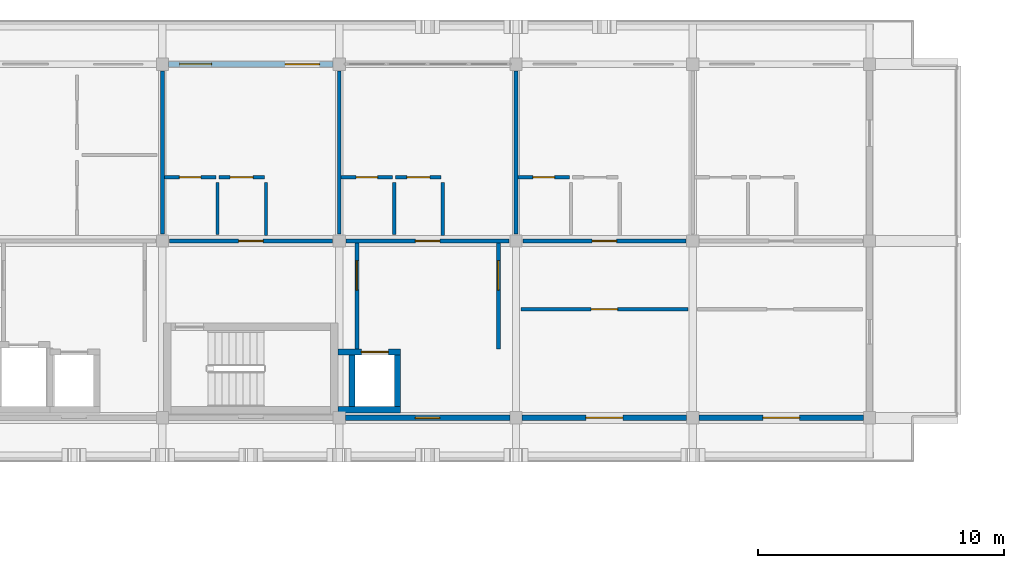
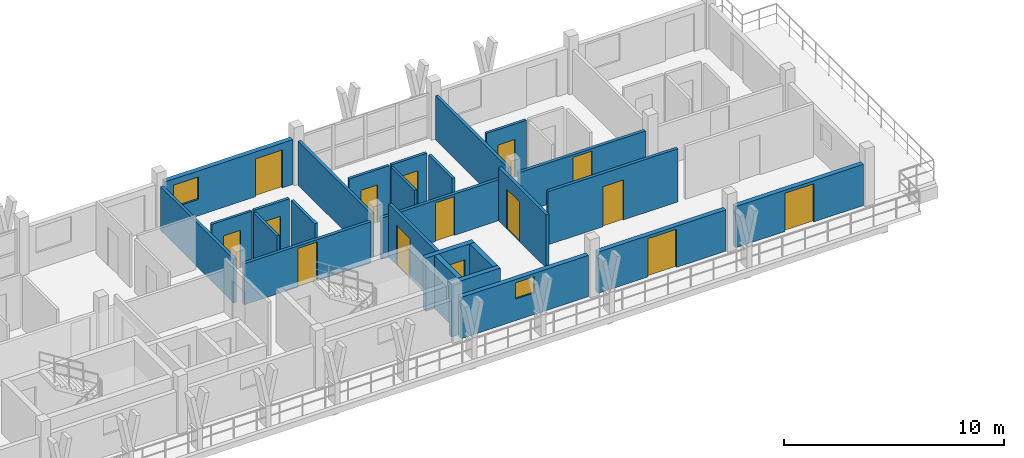
# One storey, part 21 of 32: 26 walls, 15 doors, 2 windows, 17 openings.
"""IFC4 building model written with IfcOpenShell, lengths in metres."""

from ifc_helpers import new_model, si_unit, direction, frame, frame_2d, origin, place, context, subcontext, project, spatial, rectangle, extrude, material, layer, layer_set, type_object, element, fill, save


model = new_model("IFC4")

# Units and contexts
model_context = context("Model", 3, precision=1e-05, world=origin(), true_north=direction((0.0, 1.0)))
body_context = subcontext(model_context, "Body", "Model", "MODEL_VIEW")
ifc_project = project(units=[si_unit("LENGTHUNIT", "METRE"), si_unit("AREAUNIT", "SQUARE_METRE"), si_unit("VOLUMEUNIT", "CUBIC_METRE"), si_unit("PLANEANGLEUNIT", "RADIAN"), si_unit("MASSUNIT", "GRAM", prefix="KILO")], contexts=[model_context])

# Site, building, storey
site_placement = place(None, origin())
site = spatial("IfcSite", under=ifc_project, at=site_placement, CompositionType="ELEMENT")
building_placement = place(site_placement, origin())
building = spatial("IfcBuilding", under=site, at=building_placement, Name="Suanplinth Sawtooth Commons", CompositionType="ELEMENT")
storey_placement = place(building_placement, frame((0.0, 0.0, 41.199951171875)))
storey = spatial("IfcBuildingStorey", under=building, at=storey_placement, Name="L12", CompositionType="ELEMENT", Elevation=41.199951171875)

# Wall, openings, door, window
ifc_material_1 = material(Name="Precast concrete C40/50", Category="concrete")
ifc_layer_1 = layer(ifc_material_1, 0.239990234375, Name="Upper insulated precast facade wall 240mm")
ifc_layer_set_1 = layer_set([ifc_layer_1], Name="Precast concrete C40/50")
wall_type_1 = type_object("IfcWallType", Name="W-EX03", PredefinedType="ELEMENTEDWALL", material=ifc_layer_set_1)
wall_1_placement = place(storey_placement, frame((57.85009765625, 122.39990234375, 0.0), z_axis=(0.0, 0.0, 1.0), x_axis=(1.0, 0.0, 0.0)))
wall_1 = element("IfcWall", 1, at=wall_1_placement, inside=storey, type_object=wall_type_1, Name="Facade Wall W-L12-A-N-4", PredefinedType="ELEMENTEDWALL", context=body_context, shape_type="SweptSolid", body=[
    extrude(rectangle(XDim=6.699951171875, YDim=0.239990234375, at=frame_2d((3.35009765625, 0.0))), origin(), (0.0, 0.0, 1.0), 2.485107421875),
])
opening_1_placement = place(wall_1_placement, frame((4.75, 0.0, 0.0)))
opening_1 = element("IfcOpeningElement", 2, at=opening_1_placement, cuts=wall_1, Name="Opening ED0812", PredefinedType="OPENING", context=body_context, shape_type="SweptSolid", body=[
    extrude(rectangle(XDim=1.39990234375, YDim=2.10009765625, at=frame_2d((0.699951171875, 1.050048828125))), frame((0.0, 0.134765625, 0.0), z_axis=(0.0, -1.0, 0.0), x_axis=(1.0, 0.0, 0.0)), (0.0, 0.0, 1.0), 0.269775390625),
])
opening_2_placement = place(wall_1_placement, frame((0.449951171875, 0.0, 0.89990234375)))
opening_2 = element("IfcOpeningElement", 3, at=opening_2_placement, cuts=wall_1, Name="Opening W0894", PredefinedType="OPENING", context=body_context, shape_type="SweptSolid", body=[
    extrude(rectangle(XDim=1.300048828125, YDim=1.25, at=frame_2d((0.64990234375, 0.625))), frame((0.0, 0.134765625, 0.0), z_axis=(0.0, -1.0, 0.0), x_axis=(1.0, 0.0, 0.0)), (0.0, 0.0, 1.0), 0.269775390625),
])
ifc_material_2 = material(Name="Anodized aluminium and low-E glass", Category="aluminium")
door_type_1 = type_object("IfcDoorType", Name="SD-07", OperationType="SLIDING_TO_RIGHT", PredefinedType="DOOR", material=ifc_material_2)
door_1_placement = place(opening_1_placement, frame((1.39990234375, 0.0, 0.0), z_axis=(0.0, 0.0, 1.0), x_axis=(-1.0, 0.0, 0.0)))
door_1 = element("IfcDoor", 4, at=door_1_placement, inside=storey, type_object=door_type_1, Name="Balcony Sliding Door L12-A-N-4", OperationType="SLIDING_TO_RIGHT", OverallHeight=2.10009765625, OverallWidth=1.39990234375, PredefinedType="DOOR", context=body_context, shape_type="SweptSolid", body=[
    extrude(rectangle(XDim=1.39990234375, YDim=2.10009765625, at=frame_2d((0.699951171875, 1.050048828125))), frame((0.0, 0.02490234375, 0.0), z_axis=(0.0, -1.0, 0.0), x_axis=(1.0, 0.0, 0.0)), (0.0, 0.0, 1.0), 0.050048828125),
])
fill(opening_1, door_1)
ifc_material_3 = material(Name="Thermally broken aluminium and low-E double glazing", Category="aluminium")
window_type_1 = type_object("IfcWindowType", Name="WN-24", PartitioningType="SINGLE_PANEL", PredefinedType="WINDOW", material=ifc_material_3)
window_1_placement = place(opening_2_placement, origin())
window_1 = element("IfcWindow", 5, at=window_1_placement, inside=storey, type_object=window_type_1, Name="Window L12-A-N-4", OverallHeight=1.25, OverallWidth=1.300048828125, PartitioningType="SINGLE_PANEL", PredefinedType="WINDOW", context=body_context, shape_type="SweptSolid", body=[
    extrude(rectangle(XDim=1.300048828125, YDim=1.25, at=frame_2d((0.64990234375, 0.625))), frame((0.0, 0.030029296875, 0.0), z_axis=(0.0, -1.0, 0.0), x_axis=(1.0, 0.0, 0.0)), (0.0, 0.0, 1.0), 0.06005859375),
])
fill(opening_2, window_1)

# Wall, opening, window
wall_2_placement = place(storey_placement, frame((65.050048828125, 108.0, 0.0), z_axis=(0.0, 0.0, 1.0), x_axis=(1.0, 0.0, 0.0)))
wall_2 = element("IfcWall", 6, at=wall_2_placement, inside=storey, type_object=wall_type_1, Name="Courtyard Wall W-L12-A-S-5", PredefinedType="ELEMENTEDWALL", context=body_context, shape_type="SweptSolid", body=[
    extrude(rectangle(XDim=6.699951171875, YDim=0.239990234375, at=frame_2d((3.35009765625, 0.0))), origin(), (0.0, 0.0, 1.0), 2.28515625),
])
opening_3_placement = place(wall_2_placement, frame((2.85009765625, 0.0, 1.199951171875)))
opening_3 = element("IfcOpeningElement", 7, at=opening_3_placement, cuts=wall_2, Name="Opening W0896", PredefinedType="OPENING", context=body_context, shape_type="SweptSolid", body=[
    extrude(rectangle(XDim=1.0, YDim=0.89990234375, at=frame_2d((0.5, 0.449951171875))), frame((0.0, 0.134765625, 0.0), z_axis=(0.0, -1.0, 0.0), x_axis=(1.0, 0.0, 0.0)), (0.0, 0.0, 1.0), 0.269775390625),
])
window_type_2 = type_object("IfcWindowType", Name="WN-12", PartitioningType="SINGLE_PANEL", PredefinedType="WINDOW", material=ifc_material_3)
window_2_placement = place(opening_3_placement, origin())
window_2 = element("IfcWindow", 8, at=window_2_placement, inside=storey, type_object=window_type_2, Name="Core Daylight Window L12-A-5", OverallHeight=0.89990234375, OverallWidth=1.0, PartitioningType="SINGLE_PANEL", PredefinedType="WINDOW", context=body_context, shape_type="SweptSolid", body=[
    extrude(rectangle(XDim=1.0, YDim=0.89990234375, at=frame_2d((0.5, 0.449951171875))), frame((0.0, 0.030029296875, 0.0), z_axis=(0.0, -1.0, 0.0), x_axis=(1.0, 0.0, 0.0)), (0.0, 0.0, 1.0), 0.06005859375),
])
fill(opening_3, window_2)

# Wall, opening, door
wall_3_placement = place(storey_placement, frame((72.25, 108.0, 0.0), z_axis=(0.0, 0.0, 1.0), x_axis=(1.0, 0.0, 0.0)))
wall_3 = element("IfcWall", 9, at=wall_3_placement, inside=storey, type_object=wall_type_1, Name="Courtyard Wall W-L12-A-S-6", PredefinedType="ELEMENTEDWALL", context=body_context, shape_type="SweptSolid", body=[
    extrude(rectangle(XDim=6.699951171875, YDim=0.239990234375, at=frame_2d((3.35009765625, 0.0))), origin(), (0.0, 0.0, 1.0), 2.28515625),
])
opening_4_placement = place(wall_3_placement, frame((2.60009765625, 0.0, 0.0)))
opening_4 = element("IfcOpeningElement", 10, at=opening_4_placement, cuts=wall_3, Name="Opening ED0814", PredefinedType="OPENING", context=body_context, shape_type="SweptSolid", body=[
    extrude(rectangle(XDim=1.5, YDim=2.1201171875, at=frame_2d((0.75, 1.06005859375))), frame((0.0, 0.134765625, 0.0), z_axis=(0.0, -1.0, 0.0), x_axis=(1.0, 0.0, 0.0)), (0.0, 0.0, 1.0), 0.269775390625),
])
door_type_2 = type_object("IfcDoorType", Name="SD-03", OperationType="SLIDING_TO_LEFT", PredefinedType="DOOR", material=ifc_material_2)
door_2_placement = place(opening_4_placement, frame((1.5, 0.0, 0.0), z_axis=(0.0, 0.0, 1.0), x_axis=(-1.0, 0.0, 0.0)))
door_2 = element("IfcDoor", 11, at=door_2_placement, inside=storey, type_object=door_type_2, Name="Courtyard Balcony Sliding Door L12-A-S-6", OperationType="SLIDING_TO_LEFT", OverallHeight=2.1201171875, OverallWidth=1.5, PredefinedType="DOOR", context=body_context, shape_type="SweptSolid", body=[
    extrude(rectangle(XDim=1.5, YDim=2.1201171875, at=frame_2d((0.75, 1.06005859375))), frame((0.0, 0.02490234375, 0.0), z_axis=(0.0, -1.0, 0.0), x_axis=(1.0, 0.0, 0.0)), (0.0, 0.0, 1.0), 0.050048828125),
])
fill(opening_4, door_2)

wall_4_placement = place(storey_placement, frame((79.449951171875, 108.0, 0.0), z_axis=(0.0, 0.0, 1.0), x_axis=(1.0, 0.0, 0.0)))
wall_4 = element("IfcWall", 12, at=wall_4_placement, inside=storey, type_object=wall_type_1, Name="Courtyard Wall W-L12-A-S-7", PredefinedType="ELEMENTEDWALL", context=body_context, shape_type="SweptSolid", body=[
    extrude(rectangle(XDim=6.699951171875, YDim=0.239990234375, at=frame_2d((3.35009765625, 0.0))), origin(), (0.0, 0.0, 1.0), 2.28515625),
])
opening_5_placement = place(wall_4_placement, frame((2.60009765625, 0.0, 0.0)))
opening_5 = element("IfcOpeningElement", 13, at=opening_5_placement, cuts=wall_4, Name="Opening ED0816", PredefinedType="OPENING", context=body_context, shape_type="SweptSolid", body=[
    extrude(rectangle(XDim=1.5, YDim=2.1201171875, at=frame_2d((0.75, 1.06005859375))), frame((0.0, 0.134765625, 0.0), z_axis=(0.0, -1.0, 0.0), x_axis=(1.0, 0.0, 0.0)), (0.0, 0.0, 1.0), 0.269775390625),
])
door_3_placement = place(opening_5_placement, frame((1.5, 0.0, 0.0), z_axis=(0.0, 0.0, 1.0), x_axis=(-1.0, 0.0, 0.0)))
door_3 = element("IfcDoor", 14, at=door_3_placement, inside=storey, type_object=door_type_2, Name="Courtyard Balcony Sliding Door L12-A-S-7", OperationType="SLIDING_TO_LEFT", OverallHeight=2.1201171875, OverallWidth=1.5, PredefinedType="DOOR", context=body_context, shape_type="SweptSolid", body=[
    extrude(rectangle(XDim=1.5, YDim=2.1201171875, at=frame_2d((0.75, 1.06005859375))), frame((0.0, 0.02490234375, 0.0), z_axis=(0.0, -1.0, 0.0), x_axis=(1.0, 0.0, 0.0)), (0.0, 0.0, 1.0), 0.050048828125),
])
fill(opening_5, door_3)

ifc_layer_2 = layer(ifc_material_1, 0.159912109375, Name="Fire-rated corridor and lobby wall 160mm")
ifc_layer_set_2 = layer_set([ifc_layer_2], Name="Precast concrete C40/50")
wall_type_2 = type_object("IfcWallType", Name="W-FW01", PredefinedType="PARTITIONING", material=ifc_layer_set_2)
wall_5_placement = place(storey_placement, frame((65.52001953125, 110.800048828125, 0.0), z_axis=(0.0, 0.0, 1.0), x_axis=(0.0, 1.0, 0.0)))
wall_5 = element("IfcWall", 15, at=wall_5_placement, inside=storey, type_object=wall_type_2, Name="W-L12-C-A2-LOB-W", PredefinedType="PARTITIONING", context=body_context, shape_type="SweptSolid", body=[
    extrude(rectangle(XDim=4.320068359375, YDim=0.159912109375, at=frame_2d((2.16015625, 0.0))), origin(), (0.0, 0.0, 1.0), 2.949951171875),
])
opening_6_placement = place(wall_5_placement, frame((2.39990234375, 0.0, 0.0)))
opening_6 = element("IfcOpeningElement", 16, at=opening_6_placement, cuts=wall_5, Name="Opening FD0139", PredefinedType="OPENING", context=body_context, shape_type="SweptSolid", body=[
    extrude(rectangle(XDim=1.199951171875, YDim=2.199951171875, at=frame_2d((0.60009765625, 1.10009765625))), frame((0.0, 0.0947265625, 0.0), z_axis=(0.0, -1.0, 0.0), x_axis=(1.0, 0.0, 0.0)), (0.0, 0.0, 1.0), 0.189697265625),
])
ifc_material_4 = material(Name="Teak hardwood fire-rated door assembly", Category="wood")
door_type_3 = type_object("IfcDoorType", Name="FD-02", OperationType="NOTDEFINED", PredefinedType="DOOR", material=ifc_material_4)
door_4_placement = place(opening_6_placement, origin())
door_4 = element("IfcDoor", 17, at=door_4_placement, inside=storey, type_object=door_type_3, Name="Lobby Fire Door FD0139", OperationType="SINGLE_SWING_LEFT", OverallHeight=2.199951171875, OverallWidth=1.199951171875, PredefinedType="DOOR", context=body_context, shape_type="SweptSolid", body=[
    extrude(rectangle(XDim=1.199951171875, YDim=2.199951171875, at=frame_2d((0.60009765625, 1.10009765625))), frame((0.0, 0.02490234375, 0.0), z_axis=(0.0, -1.0, 0.0), x_axis=(1.0, 0.0, 0.0)), (0.0, 0.0, 1.0), 0.050048828125),
])
fill(opening_6, door_4)

wall_6_placement = place(storey_placement, frame((71.280029296875, 110.800048828125, 0.0), z_axis=(0.0, 0.0, 1.0), x_axis=(0.0, 1.0, 0.0)))
wall_6 = element("IfcWall", 18, at=wall_6_placement, inside=storey, type_object=wall_type_2, Name="W-L12-C-A2-LOB-E", PredefinedType="PARTITIONING", context=body_context, shape_type="SweptSolid", body=[
    extrude(rectangle(XDim=4.320068359375, YDim=0.159912109375, at=frame_2d((2.16015625, 0.0))), origin(), (0.0, 0.0, 1.0), 2.949951171875),
])
opening_7_placement = place(wall_6_placement, frame((2.39990234375, 0.0, 0.0)))
opening_7 = element("IfcOpeningElement", 19, at=opening_7_placement, cuts=wall_6, Name="Opening FD0140", PredefinedType="OPENING", context=body_context, shape_type="SweptSolid", body=[
    extrude(rectangle(XDim=1.199951171875, YDim=2.199951171875, at=frame_2d((0.60009765625, 1.10009765625))), frame((0.0, 0.0947265625, 0.0), z_axis=(0.0, -1.0, 0.0), x_axis=(1.0, 0.0, 0.0)), (0.0, 0.0, 1.0), 0.189697265625),
])
door_5_placement = place(opening_7_placement, frame((1.199951171875, 0.0, 0.0), z_axis=(0.0, 0.0, 1.0), x_axis=(-1.0, 0.0, 0.0)))
door_5 = element("IfcDoor", 20, at=door_5_placement, inside=storey, type_object=door_type_3, Name="Lobby Fire Door FD0140", OperationType="SINGLE_SWING_RIGHT", OverallHeight=2.199951171875, OverallWidth=1.199951171875, PredefinedType="DOOR", context=body_context, shape_type="SweptSolid", body=[
    extrude(rectangle(XDim=1.199951171875, YDim=2.199951171875, at=frame_2d((0.60009765625, 1.10009765625))), frame((0.0, 0.02490234375, 0.0), z_axis=(0.0, -1.0, 0.0), x_axis=(1.0, 0.0, 0.0)), (0.0, 0.0, 1.0), 0.050048828125),
])
fill(opening_7, door_5)

wall_7_placement = place(storey_placement, frame((57.8798828125, 115.199951171875, 0.0), z_axis=(0.0, 0.0, 1.0), x_axis=(1.0, 0.0, 0.0)))
wall_7 = element("IfcWall", 21, at=wall_7_placement, inside=storey, type_object=wall_type_2, Name="W-A-L12-U04-COR", PredefinedType="PARTITIONING", context=body_context, shape_type="SweptSolid", body=[
    extrude(rectangle(XDim=6.64013671875, YDim=0.159912109375, at=frame_2d((3.320068359375, 0.0))), origin(), (0.0, 0.0, 1.0), 2.28515625),
])
opening_8_placement = place(wall_7_placement, frame((2.820068359375, 0.0, 0.0)))
opening_8 = element("IfcOpeningElement", 22, at=opening_8_placement, cuts=wall_7, Name="Opening FD1994", PredefinedType="OPENING", context=body_context, shape_type="SweptSolid", body=[
    extrude(rectangle(XDim=1.0, YDim=2.14990234375, at=frame_2d((0.5, 1.074951171875))), frame((0.0, 0.0947265625, 0.0), z_axis=(0.0, -1.0, 0.0), x_axis=(1.0, 0.0, 0.0)), (0.0, 0.0, 1.0), 0.189697265625),
])
door_type_4 = type_object("IfcDoorType", Name="FD-03", OperationType="NOTDEFINED", PredefinedType="DOOR", material=ifc_material_4)
door_6_placement = place(opening_8_placement, origin())
door_6 = element("IfcDoor", 23, at=door_6_placement, inside=storey, type_object=door_type_4, Name="Unit Entrance Door FD1994", OperationType="SINGLE_SWING_RIGHT", OverallHeight=2.14990234375, OverallWidth=1.0, PredefinedType="DOOR", context=body_context, shape_type="SweptSolid", body=[
    extrude(rectangle(XDim=1.0, YDim=2.14990234375, at=frame_2d((0.5, 1.074951171875))), frame((0.0, 0.02490234375, 0.0), z_axis=(0.0, -1.0, 0.0), x_axis=(1.0, 0.0, 0.0)), (0.0, 0.0, 1.0), 0.050048828125),
])
fill(opening_8, door_6)

wall_8_placement = place(storey_placement, frame((65.080078125, 115.199951171875, 0.0), z_axis=(0.0, 0.0, 1.0), x_axis=(1.0, 0.0, 0.0)))
wall_8 = element("IfcWall", 24, at=wall_8_placement, inside=storey, type_object=wall_type_2, Name="W-A-L12-U05-COR", PredefinedType="PARTITIONING", context=body_context, shape_type="SweptSolid", body=[
    extrude(rectangle(XDim=6.639892578125, YDim=0.159912109375, at=frame_2d((3.31982421875, 0.0))), origin(), (0.0, 0.0, 1.0), 2.28515625),
])
opening_9_placement = place(wall_8_placement, frame((2.820068359375, 0.0, 0.0)))
opening_9 = element("IfcOpeningElement", 25, at=opening_9_placement, cuts=wall_8, Name="Opening FD1997", PredefinedType="OPENING", context=body_context, shape_type="SweptSolid", body=[
    extrude(rectangle(XDim=1.0, YDim=2.14990234375, at=frame_2d((0.5, 1.074951171875))), frame((0.0, 0.0947265625, 0.0), z_axis=(0.0, -1.0, 0.0), x_axis=(1.0, 0.0, 0.0)), (0.0, 0.0, 1.0), 0.189697265625),
])
door_7_placement = place(opening_9_placement, origin())
door_7 = element("IfcDoor", 26, at=door_7_placement, inside=storey, type_object=door_type_4, Name="Unit Entrance Door FD1997", OperationType="SINGLE_SWING_LEFT", OverallHeight=2.14990234375, OverallWidth=1.0, PredefinedType="DOOR", context=body_context, shape_type="SweptSolid", body=[
    extrude(rectangle(XDim=1.0, YDim=2.14990234375, at=frame_2d((0.5, 1.074951171875))), frame((0.0, 0.02490234375, 0.0), z_axis=(0.0, -1.0, 0.0), x_axis=(1.0, 0.0, 0.0)), (0.0, 0.0, 1.0), 0.050048828125),
])
fill(opening_9, door_7)

wall_9_placement = place(storey_placement, frame((72.280029296875, 115.199951171875, 0.0), z_axis=(0.0, 0.0, 1.0), x_axis=(1.0, 0.0, 0.0)))
wall_9 = element("IfcWall", 27, at=wall_9_placement, inside=storey, type_object=wall_type_2, Name="W-A-L12-U06-COR", PredefinedType="PARTITIONING", context=body_context, shape_type="SweptSolid", body=[
    extrude(rectangle(XDim=6.639892578125, YDim=0.159912109375, at=frame_2d((3.31982421875, 0.0))), origin(), (0.0, 0.0, 1.0), 2.28515625),
])
opening_10_placement = place(wall_9_placement, frame((2.820068359375, 0.0, 0.0)))
opening_10 = element("IfcOpeningElement", 28, at=opening_10_placement, cuts=wall_9, Name="Opening FD2000", PredefinedType="OPENING", context=body_context, shape_type="SweptSolid", body=[
    extrude(rectangle(XDim=1.0, YDim=2.14990234375, at=frame_2d((0.5, 1.074951171875))), frame((0.0, 0.0947265625, 0.0), z_axis=(0.0, -1.0, 0.0), x_axis=(1.0, 0.0, 0.0)), (0.0, 0.0, 1.0), 0.189697265625),
])
door_8_placement = place(opening_10_placement, origin())
door_8 = element("IfcDoor", 29, at=door_8_placement, inside=storey, type_object=door_type_4, Name="Unit Entrance Door FD2000", OperationType="SINGLE_SWING_RIGHT", OverallHeight=2.14990234375, OverallWidth=1.0, PredefinedType="DOOR", context=body_context, shape_type="SweptSolid", body=[
    extrude(rectangle(XDim=1.0, YDim=2.14990234375, at=frame_2d((0.5, 1.074951171875))), frame((0.0, 0.02490234375, 0.0), z_axis=(0.0, -1.0, 0.0), x_axis=(1.0, 0.0, 0.0)), (0.0, 0.0, 1.0), 0.050048828125),
])
fill(opening_10, door_8)

wall_10_placement = place(storey_placement, frame((72.199951171875, 112.419921875, 0.0), z_axis=(0.0, 0.0, 1.0), x_axis=(1.0, 0.0, 0.0)))
wall_10 = element("IfcWall", 30, at=wall_10_placement, inside=storey, type_object=wall_type_2, Name="W-A-L12-COURTROOM-9-COR", PredefinedType="PARTITIONING", context=body_context, shape_type="SweptSolid", body=[
    extrude(rectangle(XDim=6.800048828125, YDim=0.159912109375, at=frame_2d((3.39990234375, 0.0))), origin(), (0.0, 0.0, 1.0), 2.949951171875),
])
opening_11_placement = place(wall_10_placement, frame((2.860107421875, 0.0, 0.0)))
opening_11 = element("IfcOpeningElement", 31, at=opening_11_placement, cuts=wall_10, Name="Opening D2008", PredefinedType="OPENING", context=body_context, shape_type="SweptSolid", body=[
    extrude(rectangle(XDim=1.080078125, YDim=2.219970703125, at=frame_2d((0.5400390625, 1.10986328125))), frame((0.0, 0.0947265625, 0.0), z_axis=(0.0, -1.0, 0.0), x_axis=(1.0, 0.0, 0.0)), (0.0, 0.0, 1.0), 0.189697265625),
])
ifc_material_5 = material(Name="Teak hardwood", Category="wood")
door_type_5 = type_object("IfcDoorType", Name="D-17", OperationType="NOTDEFINED", PredefinedType="DOOR", material=ifc_material_5)
door_9_placement = place(opening_11_placement, frame((1.080078125, 0.0, 0.0), z_axis=(0.0, 0.0, 1.0), x_axis=(-1.0, 0.0, 0.0)))
door_9 = element("IfcDoor", 32, at=door_9_placement, inside=storey, type_object=door_type_5, Name="Study Studio Door D2008", OperationType="SINGLE_SWING_RIGHT", OverallHeight=2.219970703125, OverallWidth=1.080078125, PredefinedType="DOOR", context=body_context, shape_type="SweptSolid", body=[
    extrude(rectangle(XDim=1.080078125, YDim=2.219970703125, at=frame_2d((0.5400390625, 1.10986328125))), frame((0.0, 0.02490234375, 0.0), z_axis=(0.0, -1.0, 0.0), x_axis=(1.0, 0.0, 0.0)), (0.0, 0.0, 1.0), 0.050048828125),
])
fill(opening_11, door_9)

# Walls
ifc_layer_3 = layer(ifc_material_1, 0.14990234375, Name="Acoustic precast party demising wall 150mm")
ifc_layer_set_3 = layer_set([ifc_layer_3], Name="Precast concrete C40/50")
wall_type_3 = type_object("IfcWallType", Name="W-FW02", PredefinedType="PARTITIONING", material=ifc_layer_set_3)
for number, where, z_axis, x_axis, name in (
    (33, (57.60009765625, 115.47998046875, 0.0), (0.0, 0.0, 1.0), (0.0, 1.0, 0.0), "W-A-L12-U03-PTY"),
    (34, (64.800048828125, 115.47998046875, 0.0), (0.0, 0.0, 1.0), (0.0, 1.0, 0.0), "W-A-L12-U04-PTY"),
    (35, (72.0, 115.47998046875, 0.0), (0.0, 0.0, 1.0), (0.0, 1.0, 0.0), "W-A-L12-U05-PTY"),
):
    element("IfcWall", number, at=place(storey_placement, frame(where, z_axis=z_axis, x_axis=x_axis)), inside=storey, type_object=wall_type_3, Name=name, PredefinedType="PARTITIONING", context=body_context, shape_type="SweptSolid", body=[
        extrude(rectangle(XDim=6.64013671875, YDim=0.14990234375, at=frame_2d((3.320068359375, 0.0))), origin(), (0.0, 0.0, 1.0), 2.43505859375),
    ])

# Wall, opening, door
ifc_material_6 = material(Name="Gypsum plasterboard on steel stud", Category="steel")
ifc_layer_4 = layer(ifc_material_6, 0.139892578125, Name="Fire-rated kitchen partition 140mm")
ifc_layer_set_4 = layer_set([ifc_layer_4], Name="Gypsum plasterboard on steel stud")
wall_type_4 = type_object("IfcWallType", Name="W-PT01", PredefinedType="PARTITIONING", material=ifc_layer_set_4)
wall_11_placement = place(storey_placement, frame((59.89990234375, 117.800048828125, 0.0), z_axis=(0.0, 0.0, 1.0), x_axis=(1.0, 0.0, 0.0)))
wall_11 = element("IfcWall", 36, at=wall_11_placement, inside=storey, type_object=wall_type_4, Name="W-A-L12-U04-KIT1", PredefinedType="PARTITIONING", context=body_context, shape_type="SweptSolid", body=[
    extrude(rectangle(XDim=1.85009765625, YDim=0.139892578125, at=frame_2d((0.925048828125, 0.0))), origin(), (0.0, 0.0, 1.0), 2.949951171875),
])
opening_12_placement = place(wall_11_placement, frame((0.4599609375, 0.0, 0.0)))
opening_12 = element("IfcOpeningElement", 37, at=opening_12_placement, cuts=wall_11, Name="Opening D1996", PredefinedType="OPENING", context=body_context, shape_type="SweptSolid", body=[
    extrude(rectangle(XDim=0.929931640625, YDim=2.139892578125, at=frame_2d((0.46484375, 1.06982421875))), frame((0.0, 0.0849609375, 0.0), z_axis=(0.0, -1.0, 0.0), x_axis=(1.0, 0.0, 0.0)), (0.0, 0.0, 1.0), 0.169677734375),
])
door_type_6 = type_object("IfcDoorType", Name="D-19", OperationType="NOTDEFINED", PredefinedType="DOOR", material=ifc_material_5)
door_10_placement = place(opening_12_placement, frame((0.929931640625, 0.0, 0.0), z_axis=(0.0, 0.0, 1.0), x_axis=(-1.0, 0.0, 0.0)))
door_10 = element("IfcDoor", 38, at=door_10_placement, inside=storey, type_object=door_type_6, Name="Kitchen Door D1996", OperationType="SINGLE_SWING_RIGHT", OverallHeight=2.139892578125, OverallWidth=0.929931640625, PredefinedType="DOOR", context=body_context, shape_type="SweptSolid", body=[
    extrude(rectangle(XDim=0.929931640625, YDim=2.139892578125, at=frame_2d((0.46484375, 1.06982421875))), frame((0.0, 0.02490234375, 0.0), z_axis=(0.0, -1.0, 0.0), x_axis=(1.0, 0.0, 0.0)), (0.0, 0.0, 1.0), 0.050048828125),
])
fill(opening_12, door_10)

# Wall
wall_12_placement = place(storey_placement, frame((61.820068359375, 115.429931640625, 0.0), z_axis=(0.0, 0.0, 1.0), x_axis=(0.0, 1.0, 0.0)))
element("IfcWall", 39, at=wall_12_placement, inside=storey, type_object=wall_type_4, Name="W-A-L12-U04-KIT2", PredefinedType="PARTITIONING", context=body_context, shape_type="SweptSolid", body=[
    extrude(rectangle(XDim=2.150146484375, YDim=0.139892578125, at=frame_2d((1.0751953125, 0.0))), origin(), (0.0, 0.0, 1.0), 2.949951171875),
])

# Wall, opening, door
wall_13_placement = place(storey_placement, frame((67.10009765625, 117.800048828125, 0.0), z_axis=(0.0, 0.0, 1.0), x_axis=(1.0, 0.0, 0.0)))
wall_13 = element("IfcWall", 40, at=wall_13_placement, inside=storey, type_object=wall_type_4, Name="W-A-L12-U05-KIT1", PredefinedType="PARTITIONING", context=body_context, shape_type="SweptSolid", body=[
    extrude(rectangle(XDim=1.849853515625, YDim=0.139892578125, at=frame_2d((0.9248046875, 0.0))), origin(), (0.0, 0.0, 1.0), 2.949951171875),
])
opening_13_placement = place(wall_13_placement, frame((0.4599609375, 0.0, 0.0)))
opening_13 = element("IfcOpeningElement", 41, at=opening_13_placement, cuts=wall_13, Name="Opening D1999", PredefinedType="OPENING", context=body_context, shape_type="SweptSolid", body=[
    extrude(rectangle(XDim=0.929931640625, YDim=2.139892578125, at=frame_2d((0.46484375, 1.06982421875))), frame((0.0, 0.0849609375, 0.0), z_axis=(0.0, -1.0, 0.0), x_axis=(1.0, 0.0, 0.0)), (0.0, 0.0, 1.0), 0.169677734375),
])
door_11_placement = place(opening_13_placement, frame((0.929931640625, 0.0, 0.0), z_axis=(0.0, 0.0, 1.0), x_axis=(-1.0, 0.0, 0.0)))
door_11 = element("IfcDoor", 42, at=door_11_placement, inside=storey, type_object=door_type_6, Name="Kitchen Door D1999", OperationType="SINGLE_SWING_LEFT", OverallHeight=2.139892578125, OverallWidth=0.929931640625, PredefinedType="DOOR", context=body_context, shape_type="SweptSolid", body=[
    extrude(rectangle(XDim=0.929931640625, YDim=2.139892578125, at=frame_2d((0.46484375, 1.06982421875))), frame((0.0, 0.02490234375, 0.0), z_axis=(0.0, -1.0, 0.0), x_axis=(1.0, 0.0, 0.0)), (0.0, 0.0, 1.0), 0.050048828125),
])
fill(opening_13, door_11)

# Wall
wall_14_placement = place(storey_placement, frame((69.02001953125, 115.429931640625, 0.0), z_axis=(0.0, 0.0, 1.0), x_axis=(0.0, 1.0, 0.0)))
element("IfcWall", 43, at=wall_14_placement, inside=storey, type_object=wall_type_4, Name="W-A-L12-U05-KIT2", PredefinedType="PARTITIONING", context=body_context, shape_type="SweptSolid", body=[
    extrude(rectangle(XDim=2.150146484375, YDim=0.139892578125, at=frame_2d((1.0751953125, 0.0))), origin(), (0.0, 0.0, 1.0), 2.949951171875),
])

# Wall, opening, door
ifc_layer_5 = layer(ifc_material_6, 0.1298828125, Name="Moisture-resistant bathroom partition 130mm")
ifc_layer_set_5 = layer_set([ifc_layer_5], Name="Gypsum plasterboard on steel stud")
wall_type_5 = type_object("IfcWallType", Name="W-PT02", PredefinedType="PARTITIONING", material=ifc_layer_set_5)
wall_15_placement = place(storey_placement, frame((57.679931640625, 117.794921875, 0.0), z_axis=(0.0, 0.0, 1.0), x_axis=(1.0, 0.0, 0.0)))
wall_15 = element("IfcWall", 44, at=wall_15_placement, inside=storey, type_object=wall_type_5, Name="W-A-L12-U04-BTH1", PredefinedType="PARTITIONING", context=body_context, shape_type="SweptSolid", body=[
    extrude(rectangle(XDim=2.10009765625, YDim=0.1298828125, at=frame_2d((1.050048828125, 0.0))), origin(), (0.0, 0.0, 1.0), 2.949951171875),
])
opening_14_placement = place(wall_15_placement, frame((0.610107421875, 0.0, 0.0)))
opening_14 = element("IfcOpeningElement", 45, at=opening_14_placement, cuts=wall_15, Name="Opening D1995", PredefinedType="OPENING", context=body_context, shape_type="SweptSolid", body=[
    extrude(rectangle(XDim=0.8798828125, YDim=2.10009765625, at=frame_2d((0.43994140625, 1.050048828125))), frame((0.0, 0.079833984375, 0.0), z_axis=(0.0, -1.0, 0.0), x_axis=(1.0, 0.0, 0.0)), (0.0, 0.0, 1.0), 0.15966796875),
])
door_type_7 = type_object("IfcDoorType", Name="D-14", OperationType="NOTDEFINED", PredefinedType="DOOR", material=ifc_material_5)
door_12_placement = place(opening_14_placement, frame((0.8798828125, 0.0, 0.0), z_axis=(0.0, 0.0, 1.0), x_axis=(-1.0, 0.0, 0.0)))
door_12 = element("IfcDoor", 46, at=door_12_placement, inside=storey, type_object=door_type_7, Name="Bathroom Door D1995", OperationType="SINGLE_SWING_LEFT", OverallHeight=2.10009765625, OverallWidth=0.8798828125, PredefinedType="DOOR", context=body_context, shape_type="SweptSolid", body=[
    extrude(rectangle(XDim=0.8798828125, YDim=2.10009765625, at=frame_2d((0.43994140625, 1.050048828125))), frame((0.0, 0.02490234375, 0.0), z_axis=(0.0, -1.0, 0.0), x_axis=(1.0, 0.0, 0.0)), (0.0, 0.0, 1.0), 0.050048828125),
])
fill(opening_14, door_12)

# Wall
wall_16_placement = place(storey_placement, frame((59.844970703125, 115.4599609375, 0.0), z_axis=(0.0, 0.0, 1.0), x_axis=(0.0, 1.0, 0.0)))
element("IfcWall", 47, at=wall_16_placement, inside=storey, type_object=wall_type_5, Name="W-A-L12-U04-BTH2", PredefinedType="PARTITIONING", context=body_context, shape_type="SweptSolid", body=[
    extrude(rectangle(XDim=2.130126953125, YDim=0.1298828125, at=frame_2d((1.06494140625, 0.0))), origin(), (0.0, 0.0, 1.0), 2.949951171875),
])

# Wall, opening, door
wall_17_placement = place(storey_placement, frame((64.8798828125, 117.794921875, 0.0), z_axis=(0.0, 0.0, 1.0), x_axis=(1.0, 0.0, 0.0)))
wall_17 = element("IfcWall", 48, at=wall_17_placement, inside=storey, type_object=wall_type_5, Name="W-A-L12-U05-BTH1", PredefinedType="PARTITIONING", context=body_context, shape_type="SweptSolid", body=[
    extrude(rectangle(XDim=2.10009765625, YDim=0.1298828125, at=frame_2d((1.050048828125, 0.0))), origin(), (0.0, 0.0, 1.0), 2.949951171875),
])
opening_15_placement = place(wall_17_placement, frame((0.610107421875, 0.0, 0.0)))
opening_15 = element("IfcOpeningElement", 49, at=opening_15_placement, cuts=wall_17, Name="Opening D1998", PredefinedType="OPENING", context=body_context, shape_type="SweptSolid", body=[
    extrude(rectangle(XDim=0.8798828125, YDim=2.10009765625, at=frame_2d((0.43994140625, 1.050048828125))), frame((0.0, 0.079833984375, 0.0), z_axis=(0.0, -1.0, 0.0), x_axis=(1.0, 0.0, 0.0)), (0.0, 0.0, 1.0), 0.15966796875),
])
door_13_placement = place(opening_15_placement, frame((0.8798828125, 0.0, 0.0), z_axis=(0.0, 0.0, 1.0), x_axis=(-1.0, 0.0, 0.0)))
door_13 = element("IfcDoor", 50, at=door_13_placement, inside=storey, type_object=door_type_7, Name="Bathroom Door D1998", OperationType="SINGLE_SWING_RIGHT", OverallHeight=2.10009765625, OverallWidth=0.8798828125, PredefinedType="DOOR", context=body_context, shape_type="SweptSolid", body=[
    extrude(rectangle(XDim=0.8798828125, YDim=2.10009765625, at=frame_2d((0.43994140625, 1.050048828125))), frame((0.0, 0.02490234375, 0.0), z_axis=(0.0, -1.0, 0.0), x_axis=(1.0, 0.0, 0.0)), (0.0, 0.0, 1.0), 0.050048828125),
])
fill(opening_15, door_13)

# Wall
wall_18_placement = place(storey_placement, frame((67.044921875, 115.4599609375, 0.0), z_axis=(0.0, 0.0, 1.0), x_axis=(0.0, 1.0, 0.0)))
element("IfcWall", 51, at=wall_18_placement, inside=storey, type_object=wall_type_5, Name="W-A-L12-U05-BTH2", PredefinedType="PARTITIONING", context=body_context, shape_type="SweptSolid", body=[
    extrude(rectangle(XDim=2.130126953125, YDim=0.1298828125, at=frame_2d((1.06494140625, 0.0))), origin(), (0.0, 0.0, 1.0), 2.949951171875),
])

# Wall, opening, door
wall_19_placement = place(storey_placement, frame((72.080078125, 117.794921875, 0.0), z_axis=(0.0, 0.0, 1.0), x_axis=(1.0, 0.0, 0.0)))
wall_19 = element("IfcWall", 52, at=wall_19_placement, inside=storey, type_object=wall_type_5, Name="W-A-L12-U06-BTH1", PredefinedType="PARTITIONING", context=body_context, shape_type="SweptSolid", body=[
    extrude(rectangle(XDim=2.099853515625, YDim=0.1298828125, at=frame_2d((1.0498046875, 0.0))), origin(), (0.0, 0.0, 1.0), 2.949951171875),
])
opening_16_placement = place(wall_19_placement, frame((0.610107421875, 0.0, 0.0)))
opening_16 = element("IfcOpeningElement", 53, at=opening_16_placement, cuts=wall_19, Name="Opening D2001", PredefinedType="OPENING", context=body_context, shape_type="SweptSolid", body=[
    extrude(rectangle(XDim=0.8798828125, YDim=2.10009765625, at=frame_2d((0.43994140625, 1.050048828125))), frame((0.0, 0.079833984375, 0.0), z_axis=(0.0, -1.0, 0.0), x_axis=(1.0, 0.0, 0.0)), (0.0, 0.0, 1.0), 0.15966796875),
])
door_14_placement = place(opening_16_placement, frame((0.8798828125, 0.0, 0.0), z_axis=(0.0, 0.0, 1.0), x_axis=(-1.0, 0.0, 0.0)))
door_14 = element("IfcDoor", 54, at=door_14_placement, inside=storey, type_object=door_type_7, Name="Bathroom Door D2001", OperationType="SINGLE_SWING_LEFT", OverallHeight=2.10009765625, OverallWidth=0.8798828125, PredefinedType="DOOR", context=body_context, shape_type="SweptSolid", body=[
    extrude(rectangle(XDim=0.8798828125, YDim=2.10009765625, at=frame_2d((0.43994140625, 1.050048828125))), frame((0.0, 0.02490234375, 0.0), z_axis=(0.0, -1.0, 0.0), x_axis=(1.0, 0.0, 0.0)), (0.0, 0.0, 1.0), 0.050048828125),
])
fill(opening_16, door_14)

# Wall
ifc_layer_6 = layer(ifc_material_1, 0.25, Name="Precast structural shear wall 250mm")
ifc_layer_set_6 = layer_set([ifc_layer_6], Name="Precast concrete C40/50")
wall_type_6 = type_object("IfcWallType", Name="W-SH01", PredefinedType="SHEAR", material=ifc_layer_set_6)
wall_20_placement = place(storey_placement, frame((64.75, 108.324951171875, 0.0), z_axis=(0.0, 0.0, 1.0), x_axis=(1.0, 0.0, 0.0)))
element("IfcWall", 55, at=wall_20_placement, inside=storey, type_object=wall_type_6, Name="W-L12-LF2-S", PredefinedType="SHEAR", context=body_context, shape_type="SweptSolid", body=[
    extrude(rectangle(XDim=2.550048828125, YDim=0.25, at=frame_2d((1.27490234375, 0.0))), origin(), (0.0, 0.0, 1.0), 2.949951171875),
])

# Wall, opening, door
wall_21_placement = place(storey_placement, frame((64.75, 110.675048828125, 0.0), z_axis=(0.0, 0.0, 1.0), x_axis=(1.0, 0.0, 0.0)))
wall_21 = element("IfcWall", 56, at=wall_21_placement, inside=storey, type_object=wall_type_6, Name="W-L12-LF2-N", PredefinedType="SHEAR", context=body_context, shape_type="SweptSolid", body=[
    extrude(rectangle(XDim=2.550048828125, YDim=0.25, at=frame_2d((1.27490234375, 0.0))), origin(), (0.0, 0.0, 1.0), 2.949951171875),
])
opening_17_placement = place(wall_21_placement, frame((0.949951171875, 0.0, 0.0)))
opening_17 = element("IfcOpeningElement", 57, at=opening_17_placement, cuts=wall_21, Name="Opening LD0141", PredefinedType="OPENING", context=body_context, shape_type="SweptSolid", body=[
    extrude(rectangle(XDim=1.10009765625, YDim=2.14990234375, at=frame_2d((0.550048828125, 1.074951171875))), frame((0.0, 0.139892578125, 0.0), z_axis=(0.0, -1.0, 0.0), x_axis=(1.0, 0.0, 0.0)), (0.0, 0.0, 1.0), 0.27978515625),
])
ifc_material_7 = material(Name="Stainless steel Grade 304", Category="steel")
door_type_8 = type_object("IfcDoorType", Name="LD-01", OperationType="SLIDING_TO_LEFT", PredefinedType="DOOR", material=ifc_material_7)
door_15_placement = place(opening_17_placement, origin())
door_15 = element("IfcDoor", 58, at=door_15_placement, inside=storey, type_object=door_type_8, Name="Lift Landing Sliding Door LF2 L12", OperationType="SLIDING_TO_LEFT", OverallHeight=2.14990234375, OverallWidth=1.10009765625, PredefinedType="DOOR", context=body_context, shape_type="SweptSolid", body=[
    extrude(rectangle(XDim=1.10009765625, YDim=2.14990234375, at=frame_2d((0.550048828125, 1.074951171875))), frame((0.0, 0.02490234375, 0.0), z_axis=(0.0, -1.0, 0.0), x_axis=(1.0, 0.0, 0.0)), (0.0, 0.0, 1.0), 0.050048828125),
])
fill(opening_17, door_15)

# Walls
for number, where, z_axis, x_axis, name in (
    (59, (65.324951171875, 108.449951171875, 0.0), (0.0, 0.0, 1.0), (0.0, 1.0, 0.0), "W-L12-LF2-W"),
    (60, (67.175048828125, 108.449951171875, 0.0), (0.0, 0.0, 1.0), (0.0, 1.0, 0.0), "W-L12-LF2-E"),
):
    element("IfcWall", number, at=place(storey_placement, frame(where, z_axis=z_axis, x_axis=x_axis)), inside=storey, type_object=wall_type_6, Name=name, PredefinedType="SHEAR", context=body_context, shape_type="SweptSolid", body=[
        extrude(rectangle(XDim=2.10009765625, YDim=0.25, at=frame_2d((1.050048828125, 0.0))), origin(), (0.0, 0.0, 1.0), 2.949951171875),
    ])

save(model, "model.ifc")
